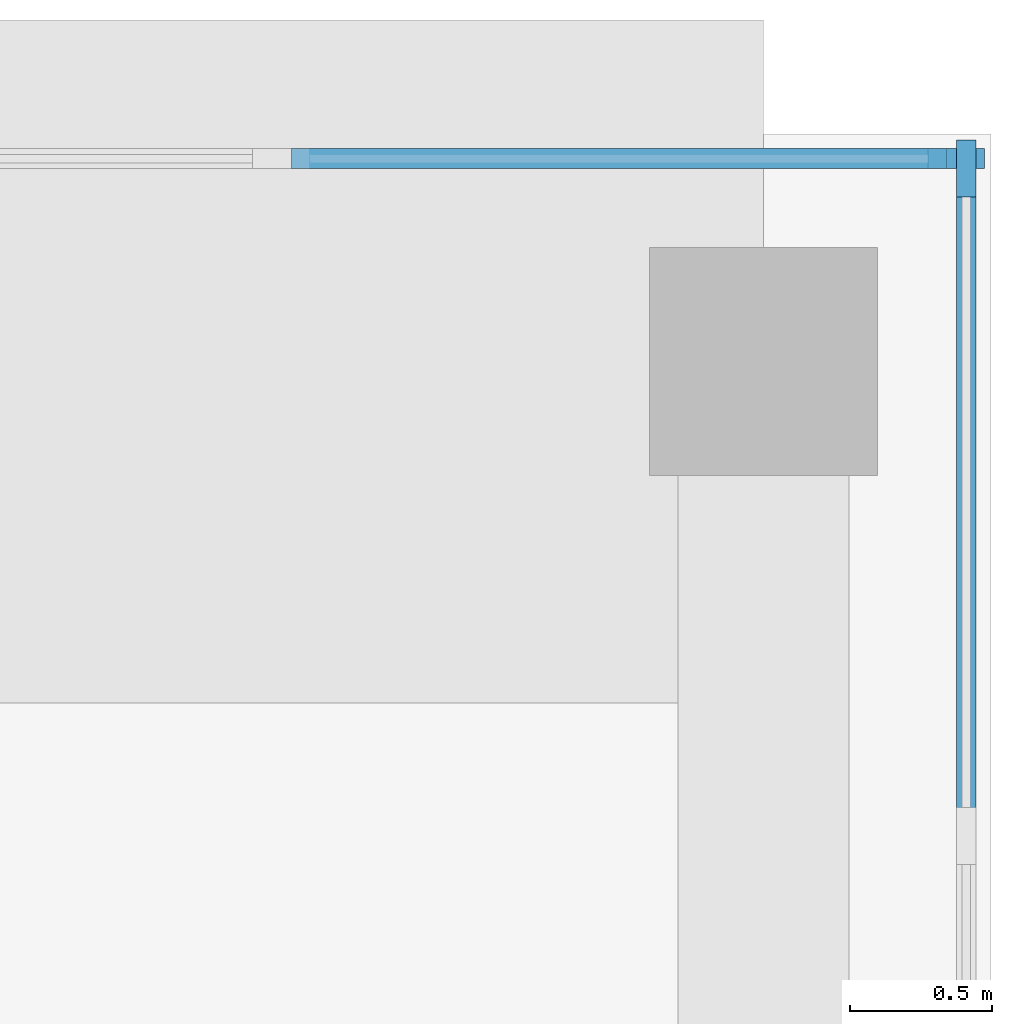
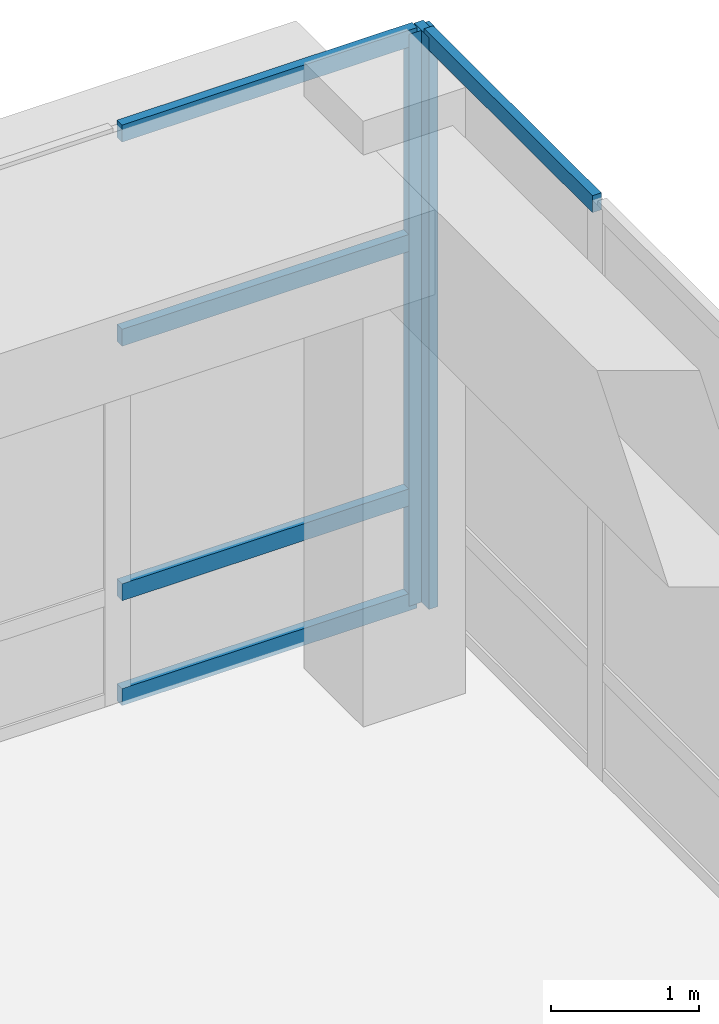
# One storey, part 13 of 24: 7 members, 2 elements without a shape of their own.
"""IFC4 building model written with IfcOpenShell, lengths in metres."""

from ifc_helpers import new_model, si_unit, direction, frame, origin, origin_2d, place, context, subcontext, project, spatial, rectangle, extrude, material, material_profile, profile_set, type_object, element, aggregate, save


model = new_model("IFC4")

# Units and contexts
model_context = context("Model", 3, precision=1e-05, world=origin(), true_north=direction((0.0, 1.0)))
body_context = subcontext(model_context, "Body", "Model", "MODEL_VIEW")
ifc_project = project(units=[si_unit("LENGTHUNIT", "METRE"), si_unit("AREAUNIT", "SQUARE_METRE"), si_unit("VOLUMEUNIT", "CUBIC_METRE"), si_unit("PLANEANGLEUNIT", "RADIAN"), si_unit("MASSUNIT", "GRAM", prefix="KILO")], contexts=[model_context])

# Site, building, storey
site_placement = place(None, origin())
site = spatial("IfcSite", under=ifc_project, at=site_placement, CompositionType="ELEMENT")
building_placement = place(site_placement, origin())
building = spatial("IfcBuilding", under=site, at=building_placement, Name="Jalousie Tower", CompositionType="ELEMENT")
storey_placement = place(building_placement, frame((0.0, 0.0, 11.0)))
storey = spatial("IfcBuildingStorey", under=building, at=storey_placement, Name="L02", CompositionType="ELEMENT", Elevation=11.0)

# Curtain wall, member
ifc_material_1 = material(Name="Aluminium curtain wall", Category="aluminium")
curtain_wall_type = type_object("IfcCurtainWallType", Name="PODIUM WINDOW WALL", PredefinedType="USERDEFINED", material=ifc_material_1)
curtain_wall_1_placement = place(storey_placement, origin())
curtain_wall_1 = element("IfcCurtainWall", 1, at=curtain_wall_1_placement, inside=storey, type_object=curtain_wall_type, Name="Podium Window Wall L02 13", ObjectType="PODIUM WINDOW WALL", PredefinedType="USERDEFINED")
ifc_material_2 = material(Name="Aluminium mullion", Category="aluminium")
ifc_material_profile_1 = material_profile(ifc_material_2, rectangle(XDim=0.070068359375, YDim=0.199951171875, at=origin_2d()), Name="MULLION 70x200")
ifc_profile_set_1 = profile_set([ifc_material_profile_1], Name="Aluminium mullion")
member_type_1 = type_object("IfcMemberType", Name="PODIUM WINDOW WALL MULLION", PredefinedType="MULLION", material=ifc_profile_set_1)
member_1_placement = place(storey_placement, frame((59.91259765625, 45.87744140625, 0.0), z_axis=(0.0, 0.0, 1.0), x_axis=(-1.0, 0.0, 0.0)))
member_1 = element("IfcMember", 2, at=member_1_placement, type_object=member_type_1, Name="CW-P mullion 20", PredefinedType="MULLION", context=body_context, shape_type="SweptSolid", body=[
    extrude(rectangle(XDim=0.070068359375, YDim=0.199951171875, at=origin_2d()), origin(), (0.0, 0.0, 1.0), 4.719970703125),
])

curtain_wall_2_placement = place(storey_placement, origin())
curtain_wall_2 = element("IfcCurtainWall", 3, at=curtain_wall_2_placement, inside=storey, type_object=curtain_wall_type, Name="Podium Window Wall L02 21", ObjectType="PODIUM WINDOW WALL", PredefinedType="USERDEFINED")
member_2_placement = place(storey_placement, frame((59.87744140625, 45.91259765625, 0.0), z_axis=(0.0, 0.0, 1.0), x_axis=(0.0, -1.0, 0.0)))
member_2 = element("IfcMember", 4, at=member_2_placement, type_object=member_type_1, Name="CW-P mullion 1", PredefinedType="MULLION", context=body_context, shape_type="SweptSolid", body=[
    extrude(rectangle(XDim=0.070068359375, YDim=0.199951171875, at=origin_2d()), origin(), (0.0, 0.0, 1.0), 4.719970703125),
])

# Member
ifc_material_3 = material(Name="Aluminium transom", Category="aluminium")
ifc_material_profile_2 = material_profile(ifc_material_3, rectangle(XDim=0.070068359375, YDim=0.139892578125, at=origin_2d()), Name="TRANSOM 70x140")
ifc_profile_set_2 = profile_set([ifc_material_profile_2], Name="Aluminium transom")
member_type_2 = type_object("IfcMemberType", Name="PODIUM WINDOW WALL TRANSOM", PredefinedType="USERDEFINED", material=ifc_profile_set_2)
member_3_placement = place(storey_placement, frame((59.91259765625, 43.56787109375, 4.68505859375), z_axis=(0.0, 1.0, 0.0), x_axis=(-1.0, 0.0, 0.0)))
member_3 = element("IfcMember", 5, at=member_3_placement, type_object=member_type_2, Name="CW-P transom 19.4", ObjectType="TRANSOM", PredefinedType="USERDEFINED", context=body_context, shape_type="SweptSolid", body=[
    extrude(rectangle(XDim=0.070068359375, YDim=0.139892578125, at=origin_2d()), origin(), (0.0, 0.0, 1.0), 2.274658203125),
])

aggregate(curtain_wall_1, [member_1, member_3])

member_4_placement = place(storey_placement, frame((59.842529296875, 45.91259765625, 0.034912109375), z_axis=(-1.0, 0.0, 0.0), x_axis=(0.0, -1.0, 0.0)))
member_4 = element("IfcMember", 6, at=member_4_placement, type_object=member_type_2, Name="CW-P transom 1.1", ObjectType="TRANSOM", PredefinedType="USERDEFINED", context=body_context, shape_type="SweptSolid", body=[
    extrude(rectangle(XDim=0.070068359375, YDim=0.139892578125, at=origin_2d()), origin(), (0.0, 0.0, 1.0), 2.302734375),
])

member_5_placement = place(storey_placement, frame((59.842529296875, 45.91259765625, 0.89990234375), z_axis=(-1.0, 0.0, 0.0), x_axis=(0.0, -1.0, 0.0)))
member_5 = element("IfcMember", 7, at=member_5_placement, type_object=member_type_2, Name="CW-P transom 1.2", ObjectType="TRANSOM", PredefinedType="USERDEFINED", context=body_context, shape_type="SweptSolid", body=[
    extrude(rectangle(XDim=0.070068359375, YDim=0.139892578125, at=origin_2d()), origin(), (0.0, 0.0, 1.0), 2.302734375),
])

member_6_placement = place(storey_placement, frame((59.842529296875, 45.91259765625, 3.0), z_axis=(-1.0, 0.0, 0.0), x_axis=(0.0, -1.0, 0.0)))
member_6 = element("IfcMember", 8, at=member_6_placement, type_object=member_type_2, Name="CW-P transom 1.3", ObjectType="TRANSOM", PredefinedType="USERDEFINED", context=body_context, shape_type="SweptSolid", body=[
    extrude(rectangle(XDim=0.070068359375, YDim=0.139892578125, at=origin_2d()), origin(), (0.0, 0.0, 1.0), 2.302734375),
])

member_7_placement = place(storey_placement, frame((59.842529296875, 45.91259765625, 4.68505859375), z_axis=(-1.0, 0.0, 0.0), x_axis=(0.0, -1.0, 0.0)))
member_7 = element("IfcMember", 9, at=member_7_placement, type_object=member_type_2, Name="CW-P transom 1.4", ObjectType="TRANSOM", PredefinedType="USERDEFINED", context=body_context, shape_type="SweptSolid", body=[
    extrude(rectangle(XDim=0.070068359375, YDim=0.139892578125, at=origin_2d()), origin(), (0.0, 0.0, 1.0), 2.302734375),
])

aggregate(curtain_wall_2, [member_2, member_4, member_5, member_6, member_7])

save(model, "model.ifc")
